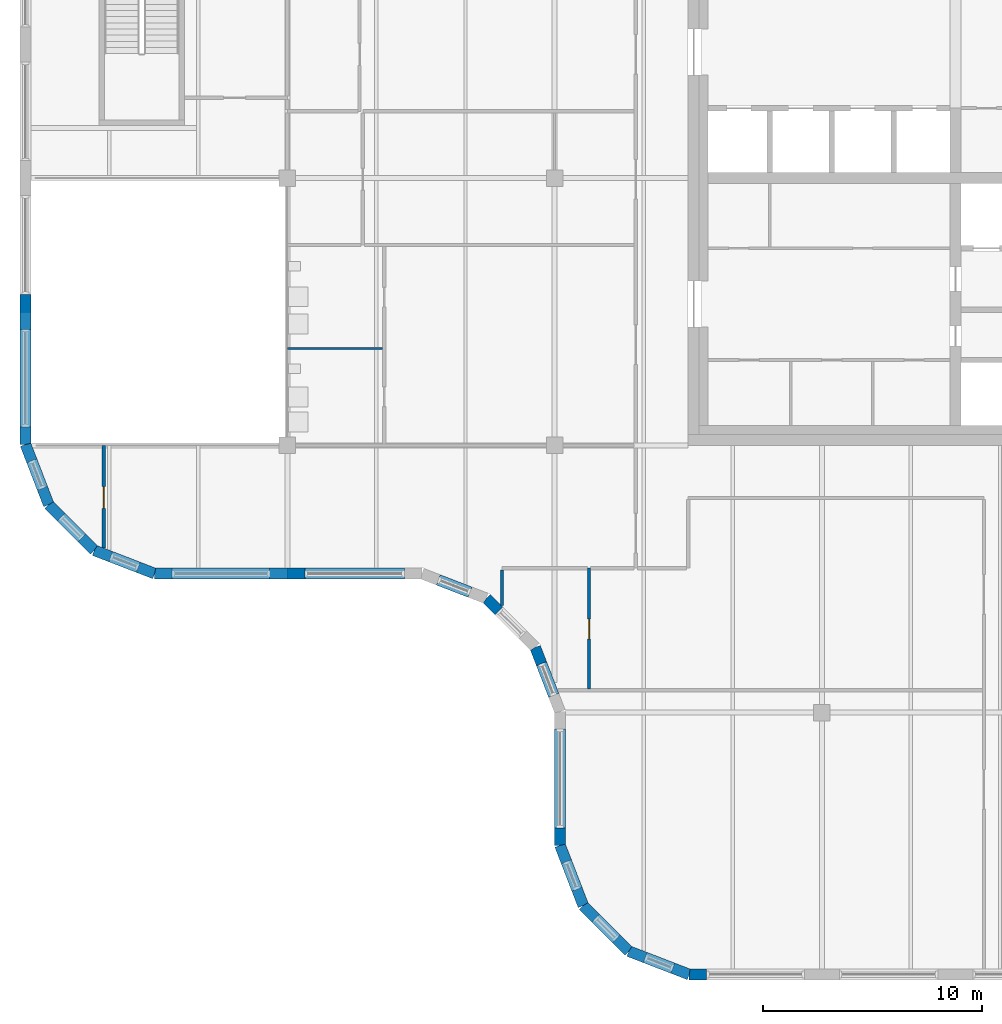
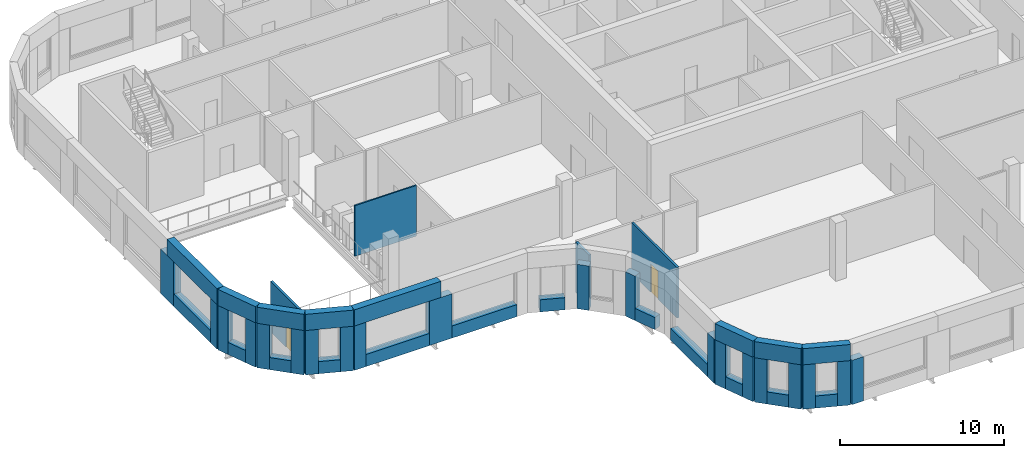
# One storey, part 10 of 21: 44 walls, 2 doors, 2 openings.
"""IFC4 building model written with IfcOpenShell, lengths in metres."""

from ifc_helpers import new_model, si_unit, direction, frame, frame_2d, origin, place, context, subcontext, project, spatial, polyline, rectangle, outline, extrude, faceted_brep, source, transform, mapped, material, layer, layer_set, type_object, element, fill, save


model = new_model("IFC4")

# Units and contexts
model_context = context("Model", 3, precision=1e-05, world=origin(), true_north=direction((0.0, 1.0)))
body_context = subcontext(model_context, "Body", "Model", "MODEL_VIEW")
ifc_project = project(units=[si_unit("LENGTHUNIT", "METRE"), si_unit("AREAUNIT", "SQUARE_METRE"), si_unit("VOLUMEUNIT", "CUBIC_METRE"), si_unit("PLANEANGLEUNIT", "RADIAN"), si_unit("MASSUNIT", "GRAM", prefix="KILO")], contexts=[model_context])

# Site, building, storey
site_placement = place(None, origin())
site = spatial("IfcSite", under=ifc_project, at=site_placement, CompositionType="ELEMENT")
building_placement = place(site_placement, origin())
building = spatial("IfcBuilding", under=site, at=building_placement, Name="Tessera Gate Towers", CompositionType="ELEMENT")
storey_placement = place(building_placement, frame((0.0, 0.0, 193.39990234375)))
storey = spatial("IfcBuildingStorey", under=building, at=storey_placement, Name="L48", CompositionType="ELEMENT", Elevation=193.39990234375)

# Wall
ifc_material_1 = material(Name="Gypsum board on steel studs", Category="steel")
ifc_layer_1 = layer(ifc_material_1, 0.10009765625)
ifc_layer_set_1 = layer_set([ifc_layer_1], Name="PARTITION 100")
wall_type_1 = type_object("IfcWallType", Name="PARTITION 100", PredefinedType="PARTITIONING", material=ifc_layer_set_1)
wall_1_placement = place(storey_placement, frame((12.199951171875, 28.820068359375, 0.0), z_axis=(0.0, 0.0, 1.0), x_axis=(1.0, 0.0, 0.0)))
element("IfcWall", 1, at=wall_1_placement, inside=storey, type_object=wall_type_1, Name="T1-L48-PW-026", PredefinedType="PARTITIONING", context=body_context, shape_type="SweptSolid", body=[
    extrude(rectangle(XDim=4.34912109375, YDim=0.10009765625, at=frame_2d((2.174560546875, 0.0))), origin(), (0.0, 0.0, 1.0), 3.76708984375),
])

# Wall, opening, door
ifc_material_2 = material(Name="Gypsum board on steel studs, mineral wool", Category="steel")
ifc_layer_2 = layer(ifc_material_2, 0.14990234375)
ifc_layer_set_2 = layer_set([ifc_layer_2], Name="TENANCY WALL 150")
wall_type_2 = type_object("IfcWallType", Name="TENANCY WALL 150", PredefinedType="PARTITIONING", material=ifc_layer_set_2)
wall_2_placement = place(storey_placement, frame((25.97509765625, 13.27587890625, 0.0), z_axis=(0.0, 0.0, 1.0), x_axis=(0.0, 1.0, 0.0)))
wall_2 = element("IfcWall", 2, at=wall_2_placement, inside=storey, type_object=wall_type_2, Name="T1-L48-PW-008", PredefinedType="PARTITIONING", context=body_context, shape_type="SweptSolid", body=[
    extrude(rectangle(XDim=5.524169921875, YDim=0.14990234375, at=frame_2d((2.76220703125, 0.0))), origin(), (0.0, 0.0, 1.0), 3.76708984375),
])
shared_shape_1 = source(origin(), body_context, "Body", "SweptSolid", [
    extrude(rectangle(XDim=0.89990234375, YDim=2.10009765625, at=frame_2d((0.449951171875, 1.050048828125))), frame((0.0, 0.0849609375, 0.0), z_axis=(0.0, -1.0, 0.0), x_axis=(1.0, 0.0, 0.0)), (0.0, 0.0, 1.0), 0.169921875),
])
opening_1_placement = place(wall_2_placement, frame((2.300048828125, 0.0, 0.0)))
opening_1 = element("IfcOpeningElement", 3, at=opening_1_placement, cuts=wall_2, Name="Opening D190-A35-04", PredefinedType="OPENING", context=body_context, shape_type="MappedRepresentation", body=[
    mapped(shared_shape_1, transform((0.0, 0.0, 0.0), scale=1.0)),
])
ifc_material_3 = material(Name="Timber door leaf in steel frame", Category="steel")
door_type_1 = type_object("IfcDoorType", Name="INTERNAL DOOR 900 NOT RATED", OperationType="NOTDEFINED", PredefinedType="DOOR", material=ifc_material_3)
shared_shape_2 = source(origin(), body_context, "Body", "SweptSolid", [
    extrude(rectangle(XDim=0.89990234375, YDim=2.10009765625, at=frame_2d((0.449951171875, 1.050048828125))), frame((0.0, 0.02490234375, 0.0), z_axis=(0.0, -1.0, 0.0), x_axis=(1.0, 0.0, 0.0)), (0.0, 0.0, 1.0), 0.050048828125),
])
door_1_placement = place(opening_1_placement, origin())
door_1 = element("IfcDoor", 4, at=door_1_placement, inside=storey, type_object=door_type_1, Name="T1-L48-PD-012", OperationType="SINGLE_SWING_LEFT", OverallHeight=2.10009765625, OverallWidth=0.89990234375, PredefinedType="DOOR", context=body_context, shape_type="MappedRepresentation", body=[
    mapped(shared_shape_2, transform((0.0, 0.0, 0.0), scale=1.0)),
])
fill(opening_1, door_1)

# Wall
wall_3_placement = place(storey_placement, frame((22.0, 17.10498046875, 0.0), z_axis=(0.0, 0.0, 1.0), x_axis=(0.0, 1.0, 0.0)))
element("IfcWall", 5, at=wall_3_placement, inside=storey, type_object=wall_type_2, Name="T1-L48-PW-009", PredefinedType="PARTITIONING", context=body_context, shape_type="SweptSolid", body=[
    extrude(rectangle(XDim=1.619140625, YDim=0.14990234375, at=frame_2d((0.8095703125, 0.0))), origin(), (0.0, 0.0, 1.0), 3.76708984375),
])

# Wall, opening, door
wall_4_placement = place(storey_placement, frame((3.820068359375, 19.72314453125, 0.0), z_axis=(0.0, 0.0, 1.0), x_axis=(0.0, 1.0, 0.0)))
wall_4 = element("IfcWall", 6, at=wall_4_placement, inside=storey, type_object=wall_type_2, Name="T1-L48-PW-018", PredefinedType="PARTITIONING", context=body_context, shape_type="SweptSolid", body=[
    extrude(rectangle(XDim=4.6767578125, YDim=0.14990234375, at=frame_2d((2.33837890625, 0.0))), origin(), (0.0, 0.0, 1.0), 3.76708984375),
])
shared_shape_3 = source(origin(), body_context, "Body", "SweptSolid", [
    extrude(rectangle(XDim=1.0, YDim=2.10009765625, at=frame_2d((0.5, 1.050048828125))), frame((0.0, 0.0849609375, 0.0), z_axis=(0.0, -1.0, 0.0), x_axis=(1.0, 0.0, 0.0)), (0.0, 0.0, 1.0), 0.169921875),
])
opening_2_placement = place(wall_4_placement, frame((1.800048828125, 0.0, 0.0)))
opening_2 = element("IfcOpeningElement", 7, at=opening_2_placement, cuts=wall_4, Name="Opening D1100-A35-01", PredefinedType="OPENING", context=body_context, shape_type="MappedRepresentation", body=[
    mapped(shared_shape_3, transform((0.0, 0.0, 0.0), scale=1.0)),
])
ifc_material_4 = material(Name="Timber door leaf in steel frame", Category="steel")
door_type_2 = type_object("IfcDoorType", Name="INTERNAL DOOR 1000 NOT RATED", OperationType="NOTDEFINED", PredefinedType="DOOR", material=ifc_material_4)
shared_shape_4 = source(origin(), body_context, "Body", "SweptSolid", [
    extrude(rectangle(XDim=1.0, YDim=2.10009765625, at=frame_2d((0.5, 1.050048828125))), frame((0.0, 0.02490234375, 0.0), z_axis=(0.0, -1.0, 0.0), x_axis=(1.0, 0.0, 0.0)), (0.0, 0.0, 1.0), 0.050048828125),
])
door_2_placement = place(opening_2_placement, origin())
door_2 = element("IfcDoor", 8, at=door_2_placement, inside=storey, type_object=door_type_2, Name="T1-L48-PD-006", OperationType="SINGLE_SWING_LEFT", OverallHeight=2.10009765625, OverallWidth=1.0, PredefinedType="DOOR", context=body_context, shape_type="MappedRepresentation", body=[
    mapped(shared_shape_4, transform((0.0, 0.0, 0.0), scale=1.0)),
])
fill(opening_2, door_2)

# Walls
ifc_material_5 = material(Name="Precast concrete C60/75 white", Category="concrete")
ifc_layer_3 = layer(ifc_material_5, 0.5)
ifc_layer_set_3 = layer_set([ifc_layer_3], Name="RB1 ring band panel")
wall_type_3 = type_object("IfcWallType", Name="RB1 ring band panel", PredefinedType="SOLIDWALL", material=ifc_layer_set_3)
shared_shape_5 = source(origin(), body_context, "Body", "Brep", [
    faceted_brep([(0.0, -0.25, 0.0), (0.800048828125, -0.25, 0.0), (0.800048828125, -0.25, 3.300048828125), (0.0, -0.25, 3.300048828125), (0.046630859375, 0.25, 3.300048828125), (0.800048828125, 0.25, 3.300048828125), (0.800048828125, 0.25, 0.0), (0.046630859375, 0.25, 0.0), (0.0, 0.0, 0.0), (0.0, 0.0, 3.300048828125)], [[[0, 1, 2, 3]], [[4, 5, 6, 7]], [[7, 6, 1, 0, 8]], [[5, 4, 9, 3, 2]], [[8, 0, 3, 9]], [[7, 8, 9, 4]], [[1, 6, 5, 2]]]),
])
for number, where, z_axis, x_axis, name in (
    (9, (30.546630859375, 0.25, 0.0), (0.0, 0.0, 1.0), (1.0, 0.0, 0.0), "Ring band panel T1 RB1-0255"),
    (10, (6.146484375, 18.550048828125, 0.0), (0.0, 0.0, 1.0), (1.0, 0.0, 0.0), "Ring band panel T1 RB1-0376"),
    (11, (24.64990234375, 6.146484375, 0.0), (0.0, 0.0, 1.0), (0.360103552367, -0.932912338632, 0.0), "Ring band panel T1 RB1-0399"),
):
    element("IfcWall", number, at=place(storey_placement, frame(where, z_axis=z_axis, x_axis=x_axis)), inside=storey, type_object=wall_type_3, Name=name, PredefinedType="SOLIDWALL", context=body_context, shape_type="MappedRepresentation", body=[
        mapped(shared_shape_5, transform((0.0, 0.0, 0.0), scale=1.0)),
    ])
shared_shape_6 = source(origin(), body_context, "Body", "SweptSolid", [
    extrude(outline(polyline([(0.0, 0.0), (1.60009765625, 0.0), (1.60009765625, 3.300048828125), (0.0, 3.300048828125), (0.0, 0.0)])), frame((0.0, 0.25, 0.0), z_axis=(0.0, -1.0, 0.0), x_axis=(1.0, 0.0, 0.0)), (0.0, 0.0, 1.0), 0.5),
])
for number, where, z_axis, x_axis, name in (
    (12, (0.25, 31.300048828125, 0.0), (0.0, 0.0, 1.0), (0.0, -1.0, 0.0), "Ring band panel T1 RB1-0354"),
    (13, (11.39990234375, 18.550048828125, 0.0), (0.0, 0.0, 1.0), (1.0, 0.0, 0.0), "Ring band panel T1 RB1-0377"),
):
    element("IfcWall", number, at=place(storey_placement, frame(where, z_axis=z_axis, x_axis=x_axis)), inside=storey, type_object=wall_type_3, Name=name, PredefinedType="SOLIDWALL", context=body_context, shape_type="MappedRepresentation", body=[
        mapped(shared_shape_6, transform((0.0, 0.0, 0.0), scale=1.0)),
    ])
shared_shape_7 = source(origin(), body_context, "Body", "Brep", [
    faceted_brep([(0.0, -0.25, 0.0), (0.800048828125, -0.25, 0.0), (0.800048828125, -0.25, 3.300048828125), (0.0, -0.25, 3.300048828125), (0.0, 0.25, 3.300048828125), (0.75341796875, 0.25, 3.300048828125), (0.75341796875, 0.25, 0.0), (0.0, 0.25, 0.0), (0.800048828125, -0.000244140625, 0.0), (0.800048828125, -0.000244140625, 3.300048828125)], [[[0, 1, 2, 3]], [[4, 5, 6, 7]], [[7, 6, 8, 1, 0]], [[9, 2, 1, 8]], [[5, 4, 3, 2, 9]], [[4, 7, 0, 3]], [[8, 6, 5, 9]]]),
])
for number, where, z_axis, x_axis, name in (
    (14, (0.25, 25.24658203125, 0.0), (0.0, 0.0, 1.0), (0.0, -1.0, 0.0), "Ring band panel T1 RB1-0355"),
    (15, (24.64990234375, 6.946533203125, 0.0), (0.0, 0.0, 1.0), (0.0, -1.0, 0.0), "Ring band panel T1 RB1-0396"),
    (16, (29.800048828125, 0.537841796875, 0.0), (0.0, 0.0, 1.0), (0.933054335486, -0.359735468129, 0.0), "Ring band panel T1 RB1-0408"),
):
    element("IfcWall", number, at=place(storey_placement, frame(where, z_axis=z_axis, x_axis=x_axis)), inside=storey, type_object=wall_type_3, Name=name, PredefinedType="SOLIDWALL", context=body_context, shape_type="MappedRepresentation", body=[
        mapped(shared_shape_7, transform((0.0, 0.0, 0.0), scale=1.0)),
    ])
shared_shape_8 = source(origin(), body_context, "Body", "SweptSolid", [
    extrude(outline(polyline([(0.0, 0.0), (4.453369140625, 0.0), (4.453369140625, 0.900146484375), (0.0, 0.900146484375), (0.0, 0.0)])), frame((0.0, 0.25, 0.0), z_axis=(0.0, -1.0, 0.0), x_axis=(1.0, 0.0, 0.0)), (0.0, 0.0, 1.0), 0.5),
])
for number, where, z_axis, x_axis, name in (
    (17, (0.25, 29.699951171875, 0.0), (0.0, 0.0, 1.0), (0.0, -1.0, 0.0), "Ring band panel T1 RB1-0362"),
    (18, (6.946533203125, 18.550048828125, 0.0), (0.0, 0.0, 1.0), (1.0, 0.0, 0.0), "Ring band panel T1 RB1-0379"),
):
    element("IfcWall", number, at=place(storey_placement, frame(where, z_axis=z_axis, x_axis=x_axis)), inside=storey, type_object=wall_type_3, Name=name, PredefinedType="SOLIDWALL", context=body_context, shape_type="MappedRepresentation", body=[
        mapped(shared_shape_8, transform((0.0, 0.0, 0.0), scale=1.0)),
    ])
shared_shape_9 = source(origin(), body_context, "Body", "Brep", [
    faceted_brep([(0.0, -0.25, 0.0), (6.053466796875, -0.25, 0.0), (6.053466796875, -0.25, 1.199951171875), (0.0, -0.25, 1.199951171875), (0.046630859375, 0.25, 1.199951171875), (6.053466796875, 0.25, 1.199951171875), (6.053466796875, 0.25, 0.0), (0.046630859375, 0.25, 0.0), (0.0, 0.0, 0.0), (0.0, 0.0, 1.199951171875)], [[[0, 1, 2, 3]], [[4, 5, 6, 7]], [[7, 6, 1, 0, 8]], [[5, 4, 9, 3, 2]], [[8, 0, 3, 9]], [[7, 8, 9, 4]], [[1, 6, 5, 2]]]),
])
wall_5_placement = place(storey_placement, frame((6.146484375, 18.550048828125, 3.300048828125), z_axis=(0.0, 0.0, 1.0), x_axis=(1.0, 0.0, 0.0)))
element("IfcWall", 19, at=wall_5_placement, inside=storey, type_object=wall_type_3, Name="Ring band panel T1 RB1-0380", PredefinedType="SOLIDWALL", context=body_context, shape_type="MappedRepresentation", body=[
    mapped(shared_shape_9, transform((0.0, 0.0, 0.0), scale=1.0)),
])
shared_shape_10 = source(origin(), body_context, "Body", "SweptSolid", [
    extrude(outline(polyline([(0.0, 0.0), (4.5, 0.0), (4.5, 0.900146484375), (0.0, 0.900146484375), (0.0, 0.0)])), frame((0.0, 0.25, 0.0), z_axis=(0.0, -1.0, 0.0), x_axis=(1.0, 0.0, 0.0)), (0.0, 0.0, 1.0), 0.5),
])
wall_6_placement = place(storey_placement, frame((24.64990234375, 11.446533203125, 0.0), z_axis=(0.0, 0.0, 1.0), x_axis=(0.0, -1.0, 0.0)))
element("IfcWall", 20, at=wall_6_placement, inside=storey, type_object=wall_type_3, Name="Ring band panel T1 RB1-0397", PredefinedType="SOLIDWALL", context=body_context, shape_type="MappedRepresentation", body=[
    mapped(shared_shape_10, transform((0.0, 0.0, 0.0), scale=1.0)),
])
shared_shape_11 = source(origin(), body_context, "Body", "Brep", [
    faceted_brep([(0.0, -0.25, 0.0), (6.053466796875, -0.25, 0.0), (6.053466796875, -0.25, 1.199951171875), (0.0, -0.25, 1.199951171875), (0.0, 0.25, 1.199951171875), (6.0068359375, 0.25, 1.199951171875), (6.0068359375, 0.25, 0.0), (0.0, 0.25, 0.0), (6.053466796875, 0.0, 0.0), (6.053466796875, 0.0, 1.199951171875)], [[[0, 1, 2, 3]], [[4, 5, 6, 7]], [[7, 6, 8, 1, 0]], [[9, 2, 1, 8]], [[5, 4, 3, 2, 9]], [[4, 7, 0, 3]], [[8, 6, 5, 9]]]),
])
wall_7_placement = place(storey_placement, frame((0.25, 30.5, 3.300048828125), z_axis=(0.0, 0.0, 1.0), x_axis=(0.0, -1.0, 0.0)))
element("IfcWall", 21, at=wall_7_placement, inside=storey, type_object=wall_type_3, Name="Ring band panel T1 RB1-0363", PredefinedType="SOLIDWALL", context=body_context, shape_type="MappedRepresentation", body=[
    mapped(shared_shape_11, transform((0.0, 0.0, 0.0), scale=1.0)),
])
shared_shape_12 = source(origin(), body_context, "Body", "Brep", [
    faceted_brep([(0.0, -0.25, 0.0), (0.800048828125, -0.25, 0.0), (0.800048828125, -0.25, 3.300048828125), (0.0, -0.25, 3.300048828125), (0.046630859375, 0.25, 3.300048828125), (0.800048828125, 0.25, 3.300048828125), (0.800048828125, 0.25, 0.0), (0.046630859375, 0.25, 0.0), (0.0, 0.0, 0.0), (0.0, 0.0, 3.300048828125)], [[[0, 1, 2, 3]], [[4, 5, 6, 7]], [[7, 6, 1, 0, 8]], [[5, 4, 9, 3, 2]], [[8, 0, 3, 9]], [[7, 8, 9, 4]], [[1, 6, 5, 2]]]),
])
wall_8_placement = place(storey_placement, frame((0.25, 24.446533203125, 0.0), z_axis=(0.0, 0.0, 1.0), x_axis=(0.3598379092, -0.93301483327, 0.0)))
element("IfcWall", 22, at=wall_8_placement, inside=storey, type_object=wall_type_3, Name="Ring band panel T1 RB1-0364", PredefinedType="SOLIDWALL", context=body_context, shape_type="MappedRepresentation", body=[
    mapped(shared_shape_12, transform((0.0, 0.0, 0.0), scale=1.0)),
])
shared_shape_13 = source(origin(), body_context, "Body", "Brep", [
    faceted_brep([(0.0, -0.25, 0.0), (0.800048828125, -0.25, 0.0), (0.800048828125, -0.25, 3.300048828125), (0.0, -0.25, 3.300048828125), (0.0, 0.25, 3.300048828125), (0.7470703125, 0.25, 3.300048828125), (0.7470703125, 0.25, 0.0), (0.0, 0.25, 0.0), (0.800048828125, -0.000244140625, 0.0), (0.800048828125, -0.000244140625, 3.300048828125)], [[[0, 1, 2, 3]], [[4, 5, 6, 7]], [[7, 6, 8, 1, 0]], [[9, 2, 1, 8]], [[5, 4, 3, 2, 9]], [[4, 7, 0, 3]], [[8, 6, 5, 9]]]),
])
for number, where, z_axis, x_axis, name in (
    (23, (2.828125, 20.177490234375, 0.0), (0.0, 0.0, 1.0), (0.707106781187, -0.707106781187, 0.0), "Ring band panel T1 RB1-0369"),
    (24, (27.22802734375, 1.877685546875, 0.0), (0.0, 0.0, 1.0), (0.706954206636, -0.707259322823, 0.0), "Ring band panel T1 RB1-0404"),
):
    element("IfcWall", number, at=place(storey_placement, frame(where, z_axis=z_axis, x_axis=x_axis)), inside=storey, type_object=wall_type_3, Name=name, PredefinedType="SOLIDWALL", context=body_context, shape_type="MappedRepresentation", body=[
        mapped(shared_shape_13, transform((0.0, 0.0, 0.0), scale=1.0)),
    ])
shared_shape_14 = source(origin(), body_context, "Body", "SweptSolid", [
    extrude(outline(polyline([(0.0, 0.0), (1.3505859375, 0.0), (1.3505859375, 0.900146484375), (0.0, 0.900146484375), (0.0, 0.0)])), frame((0.0, 0.25, 0.0), z_axis=(0.0, -1.0, 0.0), x_axis=(1.0, 0.0, 0.0)), (0.0, 0.0, 1.0), 0.5),
])
for number, where, z_axis, x_axis, name in (
    (25, (0.537841796875, 23.7001953125, 0.0), (0.0, 0.0, 1.0), (0.359923772835, -0.932981713512, 0.0), "Ring band panel T1 RB1-0366"),
    (26, (4.14013671875, 19.323974609375, 0.0), (0.0, 0.0, 1.0), (0.932981713512, -0.359923772835, 0.0), "Ring band panel T1 RB1-0374"),
    (27, (24.93798828125, 5.400146484375, 0.0), (0.0, 0.0, 1.0), (0.359923772835, -0.932981713512, 0.0), "Ring band panel T1 RB1-0401"),
    (28, (28.5400390625, 1.02392578125, 0.0), (0.0, 0.0, 1.0), (0.932981713512, -0.359923772835, 0.0), "Ring band panel T1 RB1-0409"),
):
    element("IfcWall", number, at=place(storey_placement, frame(where, z_axis=z_axis, x_axis=x_axis)), inside=storey, type_object=wall_type_3, Name=name, PredefinedType="SOLIDWALL", context=body_context, shape_type="MappedRepresentation", body=[
        mapped(shared_shape_14, transform((0.0, 0.0, 0.0), scale=1.0)),
    ])
shared_shape_15 = source(origin(), body_context, "Body", "Brep", [
    faceted_brep([(0.0, -0.25, 0.0), (2.950439453125, -0.25, 0.0), (2.950439453125, -0.25, 1.199951171875), (0.0, -0.25, 1.199951171875), (0.046630859375, 0.25, 1.199951171875), (2.897705078125, 0.25, 1.199951171875), (2.897705078125, 0.25, 0.0), (0.046630859375, 0.25, 0.0), (2.950439453125, 0.00048828125, 0.0), (0.0, 0.0, 0.0), (2.950439453125, 0.00048828125, 1.199951171875), (0.0, 0.0, 1.199951171875)], [[[0, 1, 2, 3]], [[4, 5, 6, 7]], [[7, 6, 8, 1, 0, 9]], [[10, 2, 1, 8]], [[5, 4, 11, 3, 2, 10]], [[9, 0, 3, 11]], [[7, 9, 11, 4]], [[8, 6, 5, 10]]]),
])
for number, where, z_axis, x_axis, name in (
    (29, (0.25, 24.446533203125, 3.300048828125), (0.0, 0.0, 1.0), (0.359877213415, -0.932999673775, 0.0), "Ring band panel T1 RB1-0367"),
    (30, (24.64990234375, 6.146484375, 3.300048828125), (0.0, 0.0, 1.0), (0.359949242603, -0.932971887438, 0.0), "Ring band panel T1 RB1-0402"),
):
    element("IfcWall", number, at=place(storey_placement, frame(where, z_axis=z_axis, x_axis=x_axis)), inside=storey, type_object=wall_type_3, Name=name, PredefinedType="SOLIDWALL", context=body_context, shape_type="MappedRepresentation", body=[
        mapped(shared_shape_15, transform((0.0, 0.0, 0.0), scale=1.0)),
    ])
shared_shape_16 = source(origin(), body_context, "Body", "Brep", [
    faceted_brep([(0.0, -0.25, 0.0), (0.800048828125, -0.25, 0.0), (0.800048828125, -0.25, 3.300048828125), (0.0, -0.25, 3.300048828125), (0.052978515625, 0.25, 3.300048828125), (0.800048828125, 0.25, 3.300048828125), (0.800048828125, 0.25, 0.0), (0.052978515625, 0.25, 0.0), (0.0, 0.0, 0.0), (0.0, 0.0, 3.300048828125)], [[[0, 1, 2, 3]], [[4, 5, 6, 7]], [[7, 6, 1, 0, 8]], [[5, 4, 9, 3, 2]], [[8, 0, 3, 9]], [[7, 8, 9, 4]], [[1, 6, 5, 2]]]),
])
for number, where, z_axis, x_axis, name in (
    (31, (1.31201171875, 21.69384765625, 0.0), (0.0, 0.0, 1.0), (0.706954206636, -0.707259322823, 0.0), "Ring band panel T1 RB1-0368"),
    (32, (25.7119140625, 3.393798828125, 0.0), (0.0, 0.0, 1.0), (0.707106781187, -0.707106781187, 0.0), "Ring band panel T1 RB1-0403"),
):
    element("IfcWall", number, at=place(storey_placement, frame(where, z_axis=z_axis, x_axis=x_axis)), inside=storey, type_object=wall_type_3, Name=name, PredefinedType="SOLIDWALL", context=body_context, shape_type="MappedRepresentation", body=[
        mapped(shared_shape_16, transform((0.0, 0.0, 0.0), scale=1.0)),
    ])
shared_shape_17 = source(origin(), body_context, "Body", "SweptSolid", [
    extrude(outline(polyline([(0.0, 0.0), (1.34423828125, 0.0), (1.34423828125, 0.900146484375), (0.0, 0.900146484375), (0.0, 0.0)])), frame((0.0, 0.25, 0.0), z_axis=(0.0, -1.0, 0.0), x_axis=(1.0, 0.0, 0.0)), (0.0, 0.0, 1.0), 0.5),
])
for number, where, z_axis, x_axis, name in (
    (33, (1.877685546875, 21.1279296875, 0.0), (0.0, 0.0, 1.0), (0.707106781187, -0.707106781187, 0.0), "Ring band panel T1 RB1-0370"),
    (34, (26.277587890625, 2.828125, 0.0), (0.0, 0.0, 1.0), (0.707106781187, -0.707106781187, 0.0), "Ring band panel T1 RB1-0405"),
):
    element("IfcWall", number, at=place(storey_placement, frame(where, z_axis=z_axis, x_axis=x_axis)), inside=storey, type_object=wall_type_3, Name=name, PredefinedType="SOLIDWALL", context=body_context, shape_type="MappedRepresentation", body=[
        mapped(shared_shape_17, transform((0.0, 0.0, 0.0), scale=1.0)),
    ])
shared_shape_18 = source(origin(), body_context, "Body", "Brep", [
    faceted_brep([(0.0, -0.25, 0.0), (2.944091796875, -0.25, 0.0), (2.944091796875, -0.25, 1.199951171875), (0.0, -0.25, 1.199951171875), (0.052978515625, 0.25, 1.199951171875), (2.89111328125, 0.25, 1.199951171875), (2.89111328125, 0.25, 0.0), (0.052978515625, 0.25, 0.0), (2.944091796875, 0.000244140625, 0.0), (0.0, 0.0, 0.0), (2.944091796875, 0.000244140625, 1.199951171875), (0.0, 0.0, 1.199951171875)], [[[0, 1, 2, 3]], [[4, 5, 6, 7]], [[7, 6, 8, 1, 0, 9]], [[10, 2, 1, 8]], [[5, 4, 11, 3, 2, 10]], [[9, 0, 3, 11]], [[7, 9, 11, 4]], [[8, 6, 5, 10]]]),
])
for number, where, z_axis, x_axis, name in (
    (35, (1.31201171875, 21.69384765625, 3.300048828125), (0.0, 0.0, 1.0), (0.707106781187, -0.707106781187, 0.0), "Ring band panel T1 RB1-0371"),
    (36, (25.7119140625, 3.393798828125, 3.300048828125), (0.0, 0.0, 1.0), (0.707106781187, -0.707106781187, 0.0), "Ring band panel T1 RB1-0406"),
):
    element("IfcWall", number, at=place(storey_placement, frame(where, z_axis=z_axis, x_axis=x_axis)), inside=storey, type_object=wall_type_3, Name=name, PredefinedType="SOLIDWALL", context=body_context, shape_type="MappedRepresentation", body=[
        mapped(shared_shape_18, transform((0.0, 0.0, 0.0), scale=1.0)),
    ])
shared_shape_19 = source(origin(), body_context, "Body", "Brep", [
    faceted_brep([(0.0, -0.25, 0.0), (0.800048828125, -0.25, 0.0), (0.800048828125, -0.25, 3.300048828125), (0.0, -0.25, 3.300048828125), (0.0, 0.25, 3.300048828125), (0.75341796875, 0.25, 3.300048828125), (0.75341796875, 0.25, 0.0), (0.0, 0.25, 0.0), (0.800048828125, -0.000244140625, 0.0), (0.800048828125, -0.000244140625, 3.300048828125)], [[[0, 1, 2, 3]], [[4, 5, 6, 7]], [[7, 6, 8, 1, 0]], [[9, 2, 1, 8]], [[5, 4, 3, 2, 9]], [[4, 7, 0, 3]], [[8, 6, 5, 9]]]),
])
wall_9_placement = place(storey_placement, frame((5.400146484375, 18.837890625, 0.0), z_axis=(0.0, 0.0, 1.0), x_axis=(0.93301483327, -0.3598379092, 0.0)))
element("IfcWall", 37, at=wall_9_placement, inside=storey, type_object=wall_type_3, Name="Ring band panel T1 RB1-0373", PredefinedType="SOLIDWALL", context=body_context, shape_type="MappedRepresentation", body=[
    mapped(shared_shape_19, transform((0.0, 0.0, 0.0), scale=1.0)),
])
shared_shape_20 = source(origin(), body_context, "Body", "Brep", [
    faceted_brep([(0.0, -0.25, 0.0), (2.950439453125, -0.25, 0.0), (2.950439453125, -0.25, 1.199951171875), (0.0, -0.25, 1.199951171875), (0.052978515625, 0.25, 1.199951171875), (2.904052734375, 0.25, 1.199951171875), (2.904052734375, 0.25, 0.0), (0.052978515625, 0.25, 0.0), (2.950439453125, 0.00048828125, 0.0), (0.0, 0.0, 0.0), (2.950439453125, 0.00048828125, 1.199951171875), (0.0, 0.0, 1.199951171875)], [[[0, 1, 2, 3]], [[4, 5, 6, 7]], [[7, 6, 8, 1, 0, 9]], [[10, 2, 1, 8]], [[5, 4, 11, 3, 2, 10]], [[9, 0, 3, 11]], [[7, 9, 11, 4]], [[8, 6, 5, 10]]]),
])
for number, where, z_axis, x_axis, name in (
    (38, (3.393798828125, 19.61181640625, 3.300048828125), (0.0, 0.0, 1.0), (0.932999673775, -0.359877213415, 0.0), "Ring band panel T1 RB1-0375"),
    (39, (27.793701171875, 1.31201171875, 3.300048828125), (0.0, 0.0, 1.0), (0.932971887438, -0.359949242603, 0.0), "Ring band panel T1 RB1-0410"),
):
    element("IfcWall", number, at=place(storey_placement, frame(where, z_axis=z_axis, x_axis=x_axis)), inside=storey, type_object=wall_type_3, Name=name, PredefinedType="SOLIDWALL", context=body_context, shape_type="MappedRepresentation", body=[
        mapped(shared_shape_20, transform((0.0, 0.0, 0.0), scale=1.0)),
    ])
shared_shape_21 = source(origin(), body_context, "Body", "Brep", [
    faceted_brep([(0.0, -0.25, 0.0), (0.800048828125, -0.25, 0.0), (0.800048828125, -0.25, 3.300048828125), (0.0, -0.25, 3.300048828125), (0.0, 0.25, 3.300048828125), (0.7470703125, 0.25, 3.300048828125), (0.7470703125, 0.25, 0.0), (0.0, 0.25, 0.0), (0.800048828125, -0.000244140625, 0.0), (0.800048828125, -0.000244140625, 3.300048828125)], [[[0, 1, 2, 3]], [[4, 5, 6, 7]], [[7, 6, 8, 1, 0]], [[9, 2, 1, 8]], [[5, 4, 3, 2, 9]], [[4, 7, 0, 3]], [[8, 6, 5, 9]]]),
])
wall_10_placement = place(storey_placement, frame((1.02392578125, 22.440185546875, 0.0), z_axis=(0.0, 0.0, 1.0), x_axis=(0.360001058183, -0.932951894851, 0.0)))
element("IfcWall", 40, at=wall_10_placement, inside=storey, type_object=wall_type_3, Name="Ring band panel T1 RB1-0365", PredefinedType="SOLIDWALL", context=body_context, shape_type="MappedRepresentation", body=[
    mapped(shared_shape_21, transform((0.0, 0.0, 0.0), scale=1.0)),
])
shared_shape_22 = source(origin(), body_context, "Body", "Brep", [
    faceted_brep([(0.0, -0.25, 0.0), (0.800048828125, -0.25, 0.0), (0.800048828125, -0.25, 3.300048828125), (0.0, -0.25, 3.300048828125), (0.052978515625, 0.25, 3.300048828125), (0.800048828125, 0.25, 3.300048828125), (0.800048828125, 0.25, 0.0), (0.052978515625, 0.25, 0.0), (0.0, 0.0, 0.0), (0.0, 0.0, 3.300048828125)], [[[0, 1, 2, 3]], [[4, 5, 6, 7]], [[7, 6, 1, 0, 8]], [[5, 4, 9, 3, 2]], [[8, 0, 3, 9]], [[7, 8, 9, 4]], [[1, 6, 5, 2]]]),
])
wall_11_placement = place(storey_placement, frame((3.393798828125, 19.61181640625, 0.0), z_axis=(0.0, 0.0, 1.0), x_axis=(0.93301483327, -0.3598379092, 0.0)))
element("IfcWall", 41, at=wall_11_placement, inside=storey, type_object=wall_type_3, Name="Ring band panel T1 RB1-0372", PredefinedType="SOLIDWALL", context=body_context, shape_type="MappedRepresentation", body=[
    mapped(shared_shape_22, transform((0.0, 0.0, 0.0), scale=1.0)),
])
shared_shape_23 = source(origin(), body_context, "Body", "Brep", [
    faceted_brep([(0.0, -0.25, 0.0), (0.800048828125, -0.25, 0.0), (0.800048828125, -0.25, 3.300048828125), (0.0, -0.25, 3.300048828125), (0.0, 0.25, 3.300048828125), (0.7470703125, 0.25, 3.300048828125), (0.7470703125, 0.25, 0.0), (0.0, 0.25, 0.0), (0.800048828125, -0.000244140625, 0.0), (0.800048828125, -0.000244140625, 3.300048828125)], [[[0, 1, 2, 3]], [[4, 5, 6, 7]], [[7, 6, 8, 1, 0]], [[9, 2, 1, 8]], [[5, 4, 3, 2, 9]], [[4, 7, 0, 3]], [[8, 6, 5, 9]]]),
])
wall_12_placement = place(storey_placement, frame((25.424072265625, 4.14013671875, 0.0), z_axis=(0.0, 0.0, 1.0), x_axis=(0.3598379092, -0.93301483327, 0.0)))
element("IfcWall", 42, at=wall_12_placement, inside=storey, type_object=wall_type_3, Name="Ring band panel T1 RB1-0400", PredefinedType="SOLIDWALL", context=body_context, shape_type="MappedRepresentation", body=[
    mapped(shared_shape_23, transform((0.0, 0.0, 0.0), scale=1.0)),
])
shared_shape_24 = source(origin(), body_context, "Body", "Brep", [
    faceted_brep([(0.0, -0.25, 0.0), (0.800048828125, -0.25, 0.0), (0.800048828125, -0.25, 3.300048828125), (0.0, -0.25, 3.300048828125), (0.052978515625, 0.25, 3.300048828125), (0.800048828125, 0.25, 3.300048828125), (0.800048828125, 0.25, 0.0), (0.052978515625, 0.25, 0.0), (0.0, 0.0, 0.0), (0.0, 0.0, 3.300048828125)], [[[0, 1, 2, 3]], [[4, 5, 6, 7]], [[7, 6, 1, 0, 8]], [[5, 4, 9, 3, 2]], [[8, 0, 3, 9]], [[7, 8, 9, 4]], [[1, 6, 5, 2]]]),
])
wall_13_placement = place(storey_placement, frame((27.793701171875, 1.31201171875, 0.0), z_axis=(0.0, 0.0, 1.0), x_axis=(0.932951894851, -0.360001058183, 0.0)))
element("IfcWall", 43, at=wall_13_placement, inside=storey, type_object=wall_type_3, Name="Ring band panel T1 RB1-0407", PredefinedType="SOLIDWALL", context=body_context, shape_type="MappedRepresentation", body=[
    mapped(shared_shape_24, transform((0.0, 0.0, 0.0), scale=1.0)),
])
shared_shape_25 = source(origin(), body_context, "Body", "SweptSolid", [
    extrude(outline(polyline([(0.0, 0.0), (4.546630859375, 0.0), (4.546630859375, 0.900146484375), (0.0, 0.900146484375), (0.0, 0.0)])), frame((0.0, 0.25, 0.0), z_axis=(0.0, -1.0, 0.0), x_axis=(1.0, 0.0, 0.0)), (0.0, 0.0, 1.0), 0.5),
])
wall_14_placement = place(storey_placement, frame((13.0, 18.550048828125, 0.0), z_axis=(0.0, 0.0, 1.0), x_axis=(1.0, 0.0, 0.0)))
element("IfcWall", 44, at=wall_14_placement, inside=storey, type_object=wall_type_3, Name="Ring band panel T1 RB1-0381", PredefinedType="SOLIDWALL", context=body_context, shape_type="MappedRepresentation", body=[
    mapped(shared_shape_25, transform((0.0, 0.0, 0.0), scale=1.0)),
])
shared_shape_26 = source(origin(), body_context, "Body", "Brep", [
    faceted_brep([(0.0, -0.25, 0.0), (1.54931640625, -0.25, 0.0), (1.54931640625, -0.25, 0.900146484375), (0.0, -0.25, 0.900146484375), (0.0, 0.25, 0.900146484375), (1.54931640625, 0.25, 0.900146484375), (1.54931640625, 0.25, 0.0), (0.0, 0.25, 0.0)], [[[0, 1, 2, 3]], [[4, 5, 6, 7]], [[7, 6, 1, 0]], [[5, 4, 3, 2]], [[4, 7, 0, 3]], [[1, 6, 5, 2]]]),
])
for number, where, z_axis, x_axis, name in (
    (45, (19.093017578125, 18.261962890625, 0.0), (0.0, 0.0, 1.0), (0.932991832426, -0.359897541845, 0.0), "Ring band panel T1 RB1-0385"),
    (46, (23.804443359375, 14.4384765625, 0.0), (0.0, 0.0, 1.0), (0.359897541845, -0.932991832426, 0.0), "Ring band panel T1 RB1-0393"),
):
    element("IfcWall", number, at=place(storey_placement, frame(where, z_axis=z_axis, x_axis=x_axis)), inside=storey, type_object=wall_type_3, Name=name, PredefinedType="SOLIDWALL", context=body_context, shape_type="MappedRepresentation", body=[
        mapped(shared_shape_26, transform((0.0, 0.0, 0.0), scale=1.0)),
    ])
shared_shape_27 = source(origin(), body_context, "Body", "Brep", [
    faceted_brep([(0.052978515625, -0.25, 0.0), (0.800048828125, -0.25, 0.0), (0.800048828125, -0.25, 3.300048828125), (0.052978515625, -0.25, 3.300048828125), (0.0, 0.25, 3.300048828125), (0.800048828125, 0.25, 3.300048828125), (0.800048828125, 0.25, 0.0), (0.0, 0.25, 0.0), (0.0, 0.0, 0.0), (0.0, 0.0, 3.300048828125)], [[[0, 1, 2, 3]], [[4, 5, 6, 7]], [[7, 6, 1, 0, 8]], [[5, 4, 9, 3, 2]], [[4, 7, 8, 9]], [[8, 0, 3, 9]], [[1, 6, 5, 2]]]),
])
for number, where, z_axis, x_axis, name in (
    (47, (21.284912109375, 17.41650390625, 0.0), (0.0, 0.0, 1.0), (0.707106781187, -0.707106781187, 0.0), "Ring band panel T1 RB1-0387"),
    (48, (23.5166015625, 15.18505859375, 0.0), (0.0, 0.0, 1.0), (0.359735468129, -0.933054335486, 0.0), "Ring band panel T1 RB1-0391"),
):
    element("IfcWall", number, at=place(storey_placement, frame(where, z_axis=z_axis, x_axis=x_axis)), inside=storey, type_object=wall_type_3, Name=name, PredefinedType="SOLIDWALL", context=body_context, shape_type="MappedRepresentation", body=[
        mapped(shared_shape_27, transform((0.0, 0.0, 0.0), scale=1.0)),
    ])

save(model, "model.ifc")
